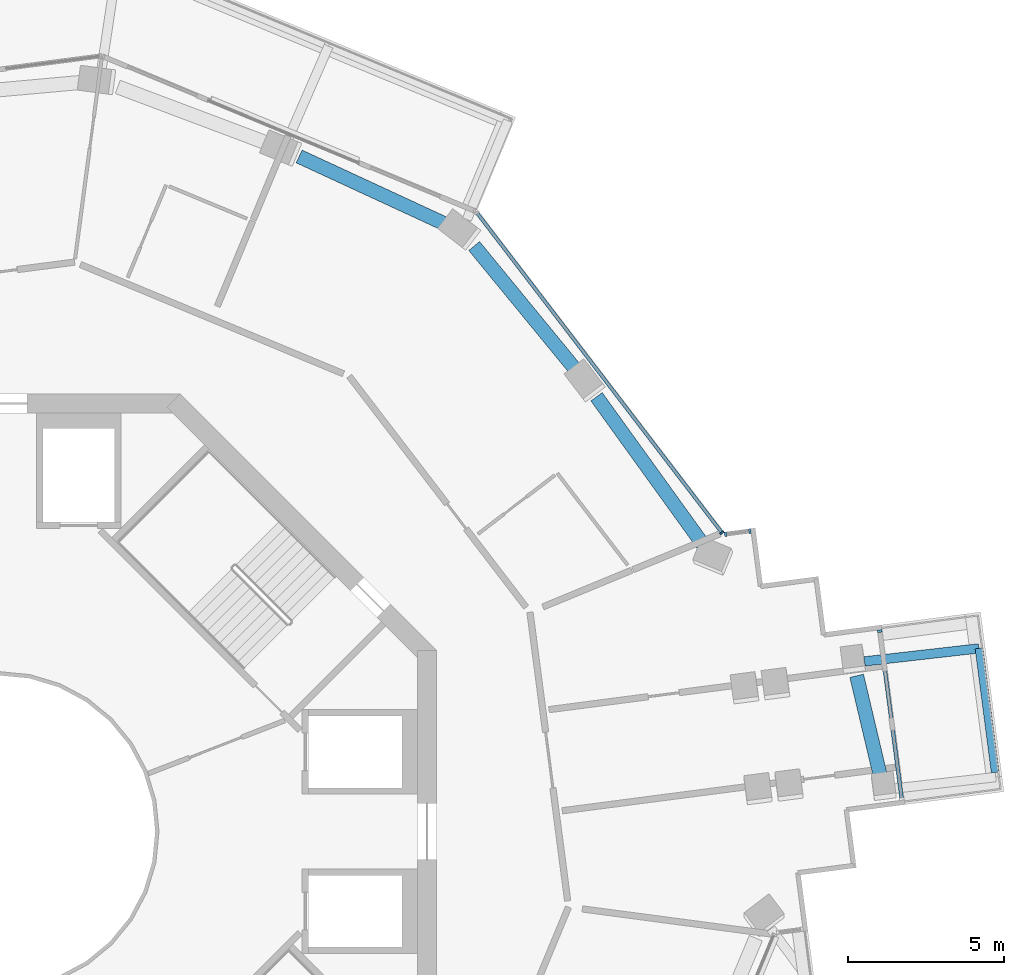
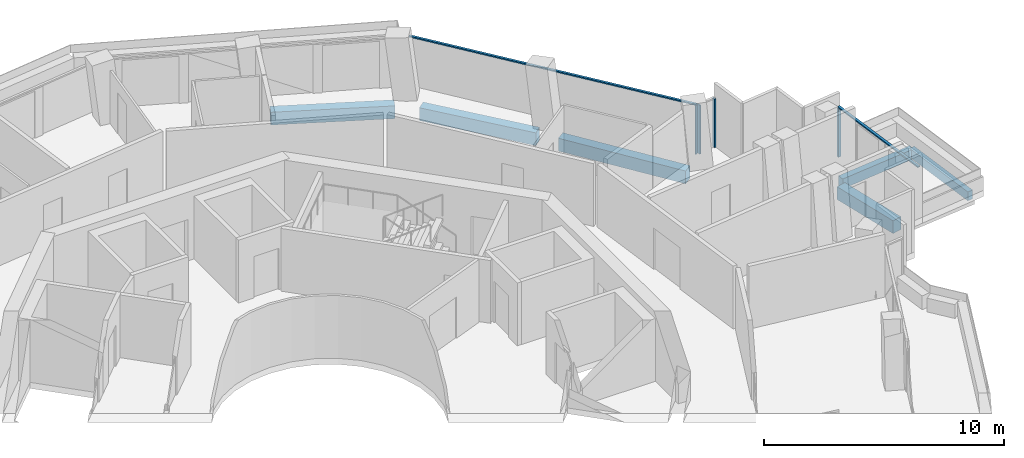
# One storey, part 9 of 25: 6 beams, 6 members, 3 elements without a shape of their own.
"""IFC4 building model written with IfcOpenShell, lengths in metres."""

from ifc_helpers import new_model, si_unit, direction, frame, origin, origin_2d, place, context, subcontext, project, spatial, rectangle, extrude, material, layer, layer_set, material_profile, profile_set, type_object, element, aggregate, save


model = new_model("IFC4")

# Units and contexts
model_context = context("Model", 3, precision=1e-05, world=origin(), true_north=direction((0.0, 1.0)))
body_context = subcontext(model_context, "Body", "Model", "MODEL_VIEW")
ifc_project = project(units=[si_unit("LENGTHUNIT", "METRE"), si_unit("AREAUNIT", "SQUARE_METRE"), si_unit("VOLUMEUNIT", "CUBIC_METRE"), si_unit("PLANEANGLEUNIT", "RADIAN"), si_unit("MASSUNIT", "GRAM", prefix="KILO")], contexts=[model_context])

# Site, building, storey
site_placement = place(None, origin())
site = spatial("IfcSite", under=ifc_project, at=site_placement, CompositionType="ELEMENT")
building_placement = place(site_placement, origin())
building = spatial("IfcBuilding", under=site, at=building_placement, Name="Verdalira Terraces Hotel", CompositionType="ELEMENT")
storey_placement = place(building_placement, frame((0.0, 0.0, 187.0)))
storey = spatial("IfcBuildingStorey", under=building, at=storey_placement, Name="L45", CompositionType="ELEMENT", Elevation=187.0)

# Beams
ifc_material_1 = material(Name="Concrete C40", Category="concrete")
ifc_material_profile_1 = material_profile(ifc_material_1, rectangle(XDim=0.300049, YDim=0.5, at=origin_2d()), Name="RC 300X500")
ifc_profile_set_1 = profile_set([ifc_material_profile_1], Name="Concrete C40")
beam_type_1 = type_object("IfcBeamType", Name="Balcony cantilever beam RC 300X500 C40", PredefinedType="BEAM", material=ifc_profile_set_1)
beam_1_placement = place(storey_placement, frame((27.69873, 5.445312, -0.560059), z_axis=(0.993610317, 0.112865129, 0.0), x_axis=(-0.112865129, 0.993610317, 0.0)))
element("IfcBeam", 1, at=beam_1_placement, inside=storey, type_object=beam_type_1, Name="Balcony cantilever beam R33-2", PredefinedType="BEAM", context=body_context, shape_type="SweptSolid", body=[
    extrude(rectangle(XDim=0.300049, YDim=0.5, at=origin_2d()), origin(), (0.0, 0.0, 1.0), 3.688232),
])
ifc_material_2 = material(Name="Concrete C40", Category="concrete")
ifc_material_profile_2 = material_profile(ifc_material_2, rectangle(XDim=0.25, YDim=0.449951, at=origin_2d()), Name="RC 250X450")
ifc_profile_set_2 = profile_set([ifc_material_profile_2], Name="Concrete C40")
beam_type_2 = type_object("IfcBeamType", Name="Balcony edge beam RC 250X450 C40", PredefinedType="BEAM", material=ifc_profile_set_2)
beam_2_placement = place(storey_placement, frame((31.881836, 1.89209, -0.534912), z_axis=(-0.129534723, 0.991574887, 0.0), x_axis=(-0.991574887, -0.129534723, 0.0)))
element("IfcBeam", 2, at=beam_2_placement, inside=storey, type_object=beam_type_2, Name="Balcony edge beam R33-1", PredefinedType="BEAM", context=body_context, shape_type="SweptSolid", body=[
    extrude(rectangle(XDim=0.25, YDim=0.449951, at=origin_2d()), origin(), (0.0, 0.0, 1.0), 4.003174),
])

# Curtain wall, members
ifc_material_3 = material(Name="Clear glass", Category="glass")
ifc_layer_1 = layer(ifc_material_3, 0.14990234375)
ifc_layer_set_1 = layer_set([ifc_layer_1], Name="CW1 curtain wall")
curtain_wall_type_1 = type_object("IfcCurtainWallType", Name="CW1 curtain wall", PredefinedType="NOTDEFINED", material=ifc_layer_set_1)
curtain_wall_1_placement = place(storey_placement, origin())
curtain_wall_1 = element("IfcCurtainWall", 3, at=curtain_wall_1_placement, inside=storey, type_object=curtain_wall_type_1, Name="CW1 curtain wall L45 edge 39", PredefinedType="NOTDEFINED")
ifc_material_4 = material(Name="Terracotta frame", Category="masonry")
ifc_material_profile_3 = material_profile(ifc_material_4, rectangle(XDim=0.060059, YDim=0.149902, at=origin_2d()), Name="MU 60x150")
ifc_profile_set_3 = profile_set([ifc_material_profile_3], Name="Terracotta frame")
member_type_1 = type_object("IfcMemberType", Name="CW1 mullion 60x150", PredefinedType="MULLION", material=ifc_profile_set_3)
member_1_placement = place(storey_placement, frame((23.134521, 9.564697, 0.0), z_axis=(0.0, 0.0, 1.0), x_axis=(-0.607930298, 0.793990399, 0.0)))
member_1 = element("IfcMember", 4, at=member_1_placement, type_object=member_type_1, Name="CW1 mullion", PredefinedType="MULLION", context=body_context, shape_type="SweptSolid", body=[
    extrude(rectangle(XDim=0.060059, YDim=0.149902, at=origin_2d()), origin(), (0.0, 0.0, 1.0), 2.475098),
])
ifc_material_5 = material(Name="Terracotta frame", Category="masonry")
ifc_material_profile_4 = material_profile(ifc_material_5, rectangle(XDim=0.110107, YDim=0.064941, at=origin_2d()), Name="TR 65x110")
ifc_profile_set_4 = profile_set([ifc_material_profile_4], Name="Terracotta frame")
member_type_2 = type_object("IfcMemberType", Name="CW1 transom 65x110", PredefinedType="USERDEFINED", material=ifc_profile_set_4)
member_2_placement = place(storey_placement, frame((23.152832, 9.540771, 2.507568), z_axis=(-0.607927575, 0.793992483, 0.0), x_axis=(-0.793992483, -0.607927575, 0.0)))
member_2 = element("IfcMember", 5, at=member_2_placement, type_object=member_type_2, Name="CW1 transom", ObjectType="TRANSOM", PredefinedType="USERDEFINED", context=body_context, shape_type="SweptSolid", body=[
    extrude(rectangle(XDim=0.110107, YDim=0.064941, at=origin_2d()), origin(), (0.0, 0.0, 1.0), 12.959961),
])
aggregate(curtain_wall_1, [member_1, member_2])

ifc_material_6 = material(Name="Clear glass", Category="glass")
ifc_layer_2 = layer(ifc_material_6, 0.14990234375)
ifc_layer_set_2 = layer_set([ifc_layer_2], Name="CW2 curtain wall")
curtain_wall_type_2 = type_object("IfcCurtainWallType", Name="CW2 curtain wall", PredefinedType="NOTDEFINED", material=ifc_layer_set_2)
curtain_wall_2_placement = place(storey_placement, origin())
curtain_wall_2 = element("IfcCurtainWall", 6, at=curtain_wall_2_placement, inside=storey, type_object=curtain_wall_type_2, Name="CW2 curtain wall L45 edge 38", PredefinedType="NOTDEFINED")
ifc_material_7 = material(Name="Terracotta frame", Category="masonry")
ifc_material_profile_5 = material_profile(ifc_material_7, rectangle(XDim=0.070068, YDim=0.149902, at=origin_2d()), Name="MU 70x150")
ifc_profile_set_5 = profile_set([ifc_material_profile_5], Name="Terracotta frame")
member_type_3 = type_object("IfcMemberType", Name="CW2 mullion 70x150", PredefinedType="MULLION", material=ifc_profile_set_5)
member_3_placement = place(storey_placement, frame((24.030273, 9.617676, 0.0), z_axis=(0.0, 0.0, 1.0), x_axis=(-0.991581004, -0.129487882, 0.0)))
member_3 = element("IfcMember", 7, at=member_3_placement, type_object=member_type_3, Name="CW2 mullion", PredefinedType="MULLION", context=body_context, shape_type="SweptSolid", body=[
    extrude(rectangle(XDim=0.070068, YDim=0.149902, at=origin_2d()), origin(), (0.0, 0.0, 1.0), 2.475098),
])
member_4_placement = place(storey_placement, frame((23.256836, 9.516602, 0.0), z_axis=(0.0, 0.0, 1.0), x_axis=(-0.991581004, -0.129487882, 0.0)))
member_4 = element("IfcMember", 8, at=member_4_placement, type_object=member_type_3, Name="CW2 mullion", PredefinedType="MULLION", context=body_context, shape_type="SweptSolid", body=[
    extrude(rectangle(XDim=0.070068, YDim=0.149902, at=origin_2d()), origin(), (0.0, 0.0, 1.0), 2.475098),
])
aggregate(curtain_wall_2, [member_3, member_4])

ifc_material_8 = material(Name="Clear glass", Category="glass")
ifc_layer_3 = layer(ifc_material_8, 0.14990234375)
ifc_layer_set_3 = layer_set([ifc_layer_3], Name="CW3 curtain wall")
curtain_wall_type_3 = type_object("IfcCurtainWallType", Name="CW3 curtain wall", PredefinedType="NOTDEFINED", material=ifc_layer_set_3)
curtain_wall_3_placement = place(storey_placement, origin())
curtain_wall_3 = element("IfcCurtainWall", 9, at=curtain_wall_3_placement, inside=storey, type_object=curtain_wall_type_3, Name="CW3 curtain wall L45 edge 33", PredefinedType="NOTDEFINED")
ifc_material_9 = material(Name="Terracotta frame", Category="masonry")
ifc_material_profile_6 = material_profile(ifc_material_9, rectangle(XDim=0.080078, YDim=0.149902, at=origin_2d()), Name="MU 80x150")
ifc_profile_set_6 = profile_set([ifc_material_profile_6], Name="Terracotta frame")
member_type_4 = type_object("IfcMemberType", Name="CW3 mullion 80x150", PredefinedType="MULLION", material=ifc_profile_set_6)
member_5_placement = place(storey_placement, frame((28.190186, 6.414307, 0.0), z_axis=(0.0, 0.0, 1.0), x_axis=(-0.129487882, 0.991581004, 0.0)))
member_5 = element("IfcMember", 10, at=member_5_placement, type_object=member_type_4, Name="CW3 mullion", PredefinedType="MULLION", context=body_context, shape_type="SweptSolid", body=[
    extrude(rectangle(XDim=0.080078, YDim=0.149902, at=origin_2d()), origin(), (0.0, 0.0, 1.0), 2.475098),
])
ifc_material_10 = material(Name="Terracotta frame", Category="masonry")
ifc_material_profile_7 = material_profile(ifc_material_10, rectangle(XDim=0.120117, YDim=0.064941, at=origin_2d()), Name="TR 65x120")
ifc_profile_set_7 = profile_set([ifc_material_profile_7], Name="Terracotta frame")
member_type_5 = type_object("IfcMemberType", Name="CW3 transom 65x120", PredefinedType="USERDEFINED", material=ifc_profile_set_7)
member_6_placement = place(storey_placement, frame((28.897217, 1.000244, 2.507568), z_axis=(-0.129528952, 0.99157564, 0.0), x_axis=(-0.99157564, -0.129528952, 0.0)))
member_6 = element("IfcMember", 11, at=member_6_placement, type_object=member_type_5, Name="CW3 transom", ObjectType="TRANSOM", PredefinedType="USERDEFINED", context=body_context, shape_type="SweptSolid", body=[
    extrude(rectangle(XDim=0.120117, YDim=0.064941, at=origin_2d()), origin(), (0.0, 0.0, 1.0), 5.5),
])
aggregate(curtain_wall_3, [member_5, member_6])

# Beams
ifc_material_11 = material(Name="Concrete C50", Category="concrete")
ifc_material_profile_8 = material_profile(ifc_material_11, rectangle(XDim=0.449951, YDim=0.649902, at=origin_2d()), Name="RC 450X650")
ifc_profile_set_8 = profile_set([ifc_material_profile_8], Name="Concrete C50")
beam_type_3 = type_object("IfcBeamType", Name="Spandrel beam RC 450X650 C50", PredefinedType="SPANDREL", material=ifc_profile_set_8)
beam_3_placement = place(storey_placement, frame((28.232178, 1.670898, -0.63501), z_axis=(-0.230082247, 0.973171187, 0.0), x_axis=(-0.973171187, -0.230082247, 0.0)))
element("IfcBeam", 12, at=beam_3_placement, inside=storey, type_object=beam_type_3, Name="Spandrel beam B17", PredefinedType="SPANDREL", context=body_context, shape_type="SweptSolid", body=[
    extrude(rectangle(XDim=0.449951, YDim=0.649902, at=origin_2d()), origin(), (0.0, 0.0, 1.0), 3.405029),
])
beam_4_placement = place(storey_placement, frame((22.522217, 9.199463, -0.63501), z_axis=(-0.584740524, 0.811220389, 0.0), x_axis=(-0.811220389, -0.584740524, 0.0)))
element("IfcBeam", 13, at=beam_4_placement, inside=storey, type_object=beam_type_3, Name="Spandrel beam B18", PredefinedType="SPANDREL", context=body_context, shape_type="SweptSolid", body=[
    extrude(rectangle(XDim=0.449951, YDim=0.649902, at=origin_2d()), origin(), (0.0, 0.0, 1.0), 5.813477),
])
beam_5_placement = place(storey_placement, frame((18.498291, 14.726807, -0.63501), z_axis=(-0.634251727, 0.773126605, 0.0), x_axis=(-0.773126605, -0.634251727, 0.0)))
element("IfcBeam", 14, at=beam_5_placement, inside=storey, type_object=beam_type_3, Name="Spandrel beam B19", PredefinedType="SPANDREL", context=body_context, shape_type="SweptSolid", body=[
    extrude(rectangle(XDim=0.449951, YDim=0.649902, at=origin_2d()), origin(), (0.0, 0.0, 1.0), 5.189697),
])
beam_6_placement = place(storey_placement, frame((14.316895, 19.425537, -0.63501), z_axis=(-0.907550215, 0.419943576, 0.0), x_axis=(-0.419943576, -0.907550215, 0.0)))
element("IfcBeam", 15, at=beam_6_placement, inside=storey, type_object=beam_type_3, Name="Spandrel beam B20", PredefinedType="SPANDREL", context=body_context, shape_type="SweptSolid", body=[
    extrude(rectangle(XDim=0.449951, YDim=0.649902, at=origin_2d()), origin(), (0.0, 0.0, 1.0), 5.192139),
])

save(model, "model.ifc")
